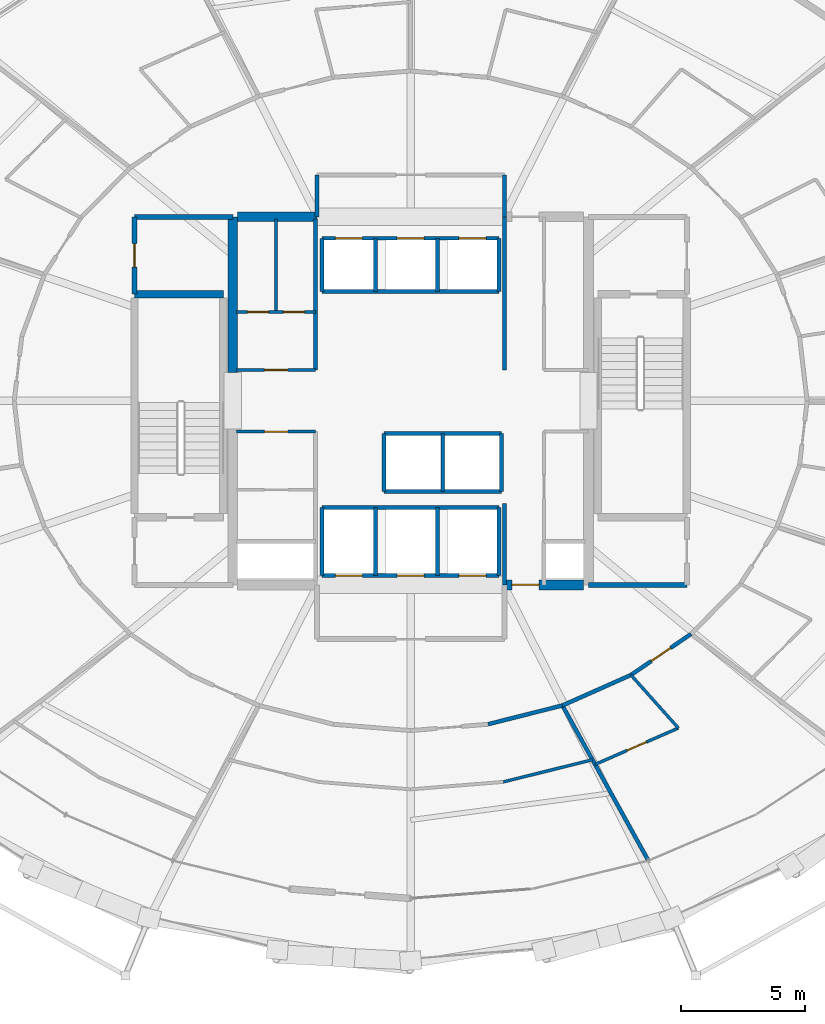
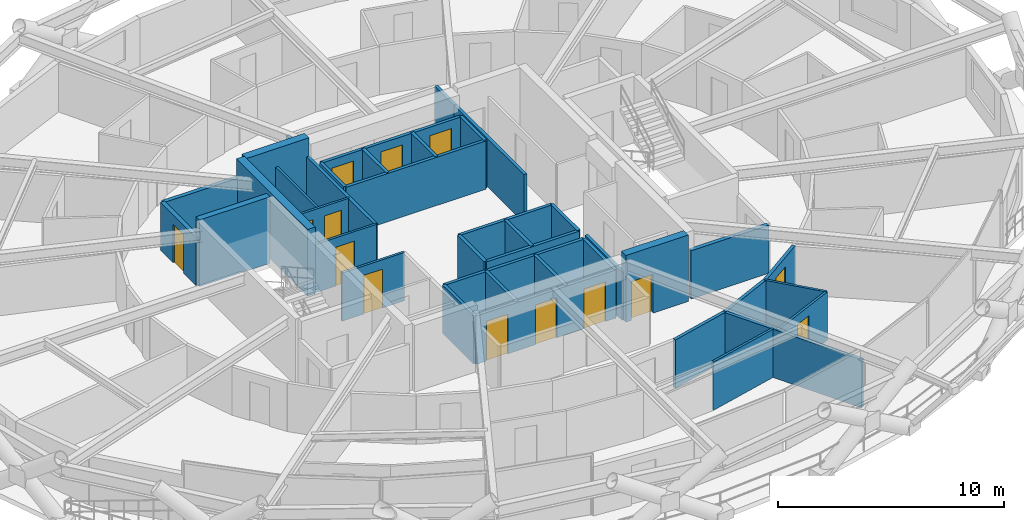
# One storey, part 14 of 19: 40 walls, 14 doors, 14 openings.
"""IFC4 building model written with IfcOpenShell, lengths in metres."""

from ifc_helpers import new_model, si_unit, direction, frame, frame_2d, origin, place, context, subcontext, project, spatial, rectangle, extrude, material, layer, layer_set, type_object, element, fill, save


model = new_model("IFC4")

# Units and contexts
model_context = context("Model", 3, precision=1e-05, world=origin(), true_north=direction((0.0, 1.0)))
body_context = subcontext(model_context, "Body", "Model", "MODEL_VIEW")
ifc_project = project(units=[si_unit("LENGTHUNIT", "METRE"), si_unit("AREAUNIT", "SQUARE_METRE"), si_unit("VOLUMEUNIT", "CUBIC_METRE"), si_unit("PLANEANGLEUNIT", "RADIAN"), si_unit("MASSUNIT", "GRAM", prefix="KILO")], contexts=[model_context])

# Site, building, storey
site_placement = place(None, origin())
site = spatial("IfcSite", under=ifc_project, at=site_placement, CompositionType="ELEMENT")
building_placement = place(site_placement, origin())
building = spatial("IfcBuilding", under=site, at=building_placement, Name="Veldorina Hangang Commons", CompositionType="ELEMENT")
storey_placement = place(building_placement, frame((0.0, 0.0, 34.0)))
storey = spatial("IfcBuildingStorey", under=building, at=storey_placement, Name="L07", CompositionType="ELEMENT", Elevation=34.0)

# Wall
ifc_material_1 = material(Name="Concrete C70/85", Category="concrete")
ifc_layer_1 = layer(ifc_material_1, 0.39990234375)
ifc_layer_set_1 = layer_set([ifc_layer_1], Name="Concrete C70/85")
wall_type_1 = type_object("IfcWallType", Name="CW-RC400-C70", PredefinedType="SHEAR", material=ifc_layer_set_1)
wall_1_placement = place(storey_placement, frame((24.800048828125, 25.14990234375, 0.0), z_axis=(0.0, 0.0, 1.0), x_axis=(0.0, 1.0, 0.0)))
element("IfcWall", 1, at=wall_1_placement, inside=storey, type_object=wall_type_1, Name="L07 W north core shear wall", PredefinedType="SHEAR", context=body_context, shape_type="SweptSolid", body=[
    extrude(rectangle(XDim=6.300048828125, YDim=0.39990234375, at=frame_2d((3.14990234375, 0.0))), origin(), (0.0, 0.0, 1.0), 3.60009765625),
])

# Wall, opening, door
wall_2_placement = place(storey_placement, frame((35.800048828125, 16.550048828125, 0.0), z_axis=(0.0, 0.0, 1.0), x_axis=(1.0, 0.0, 0.0)))
wall_2 = element("IfcWall", 2, at=wall_2_placement, inside=storey, type_object=wall_type_1, Name="L07 south-east core shear wall", PredefinedType="SHEAR", context=body_context, shape_type="SweptSolid", body=[
    extrude(rectangle(XDim=3.199951171875, YDim=0.39990234375, at=frame_2d((1.60009765625, 0.0))), origin(), (0.0, 0.0, 1.0), 3.60009765625),
])
opening_1_placement = place(wall_2_placement, frame((0.300048828125, 0.0, 0.0)))
opening_1 = element("IfcOpeningElement", 3, at=opening_1_placement, cuts=wall_2, Name="Opening D-08", PredefinedType="OPENING", context=body_context, shape_type="SweptSolid", body=[
    extrude(rectangle(XDim=1.10009765625, YDim=2.10009765625, at=frame_2d((0.550048828125, 1.050048828125))), frame((0.0, 0.2099609375, 0.0), z_axis=(0.0, -1.0, 0.0), x_axis=(1.0, 0.0, 0.0)), (0.0, 0.0, 1.0), 0.419921875),
])
ifc_material_2 = material(Name="Steel Fire-Rated Smoke Seal", Category="steel")
door_type_1 = type_object("IfcDoorType", Name="DR-FIRE-1100", OperationType="SINGLE_SWING_RIGHT", PredefinedType="DOOR", material=ifc_material_2)
door_1_placement = place(opening_1_placement, origin())
door_1 = element("IfcDoor", 4, at=door_1_placement, inside=storey, type_object=door_type_1, Name="L07 central lift lobby south corridor door", OperationType="SINGLE_SWING_RIGHT", OverallHeight=2.10009765625, OverallWidth=1.10009765625, PredefinedType="DOOR", context=body_context, shape_type="SweptSolid", body=[
    extrude(rectangle(XDim=1.10009765625, YDim=2.10009765625, at=frame_2d((0.550048828125, 1.050048828125))), frame((0.0, 0.02490234375, 0.0), z_axis=(0.0, -1.0, 0.0), x_axis=(1.0, 0.0, 0.0)), (0.0, 0.0, 1.0), 0.050048828125),
])
fill(opening_1, door_1)

# Walls
wall_3_placement = place(storey_placement, frame((25.0, 31.449951171875, 0.0), z_axis=(0.0, 0.0, 1.0), x_axis=(1.0, 0.0, 0.0)))
element("IfcWall", 5, at=wall_3_placement, inside=storey, type_object=wall_type_1, Name="L07 north-west core shear wall", PredefinedType="SHEAR", context=body_context, shape_type="SweptSolid", body=[
    extrude(rectangle(XDim=3.199951171875, YDim=0.39990234375, at=frame_2d((1.60009765625, 0.0))), origin(), (0.0, 0.0, 1.0), 3.60009765625),
])
ifc_material_3 = material(Name="Concrete C50/60", Category="concrete")
ifc_layer_2 = layer(ifc_material_3, 0.300048828125)
ifc_layer_set_2 = layer_set([ifc_layer_2], Name="Concrete C50/60")
wall_type_2 = type_object("IfcWallType", Name="SW-STAIR-300", PredefinedType="SHEAR", material=ifc_layer_set_2)
wall_4_placement = place(storey_placement, frame((20.820068359375, 28.320068359375, 0.0), z_axis=(0.0, 0.0, 1.0), x_axis=(1.0, 0.0, 0.0)))
element("IfcWall", 6, at=wall_4_placement, inside=storey, type_object=wall_type_2, Name="L07 ST1 north stair shear wall", PredefinedType="SHEAR", context=body_context, shape_type="SweptSolid", body=[
    extrude(rectangle(XDim=3.599853515625, YDim=0.300048828125, at=frame_2d((1.7998046875, 0.0))), origin(), (0.0, 0.0, 1.0), 3.60009765625),
])
ifc_material_4 = material(Name="Gypsum Fire-Rated Twin Stud Wall", Category="gypsum")
ifc_layer_3 = layer(ifc_material_4, 0.159912109375)
ifc_layer_set_3 = layer_set([ifc_layer_3], Name="Gypsum Fire-Rated Twin Stud Wall")
wall_type_3 = type_object("IfcWallType", Name="WL-FIRE-160", PredefinedType="SOLIDWALL", material=ifc_layer_set_3)
wall_5_placement = place(storey_placement, frame((35.800048828125, 16.550048828125, 0.0), z_axis=(0.0, 0.0, 1.0), x_axis=(0.0, 1.0, 0.0)))
element("IfcWall", 7, at=wall_5_placement, inside=storey, type_object=wall_type_3, Name="L07 Lift passage SW wall 009", PredefinedType="SOLIDWALL", context=body_context, shape_type="SweptSolid", body=[
    extrude(rectangle(XDim=3.300048828125, YDim=0.159912109375, at=frame_2d((1.64990234375, 0.0))), origin(), (0.0, 0.0, 1.0), 2.610107421875),
])
wall_6_placement = place(storey_placement, frame((35.800048828125, 25.25, 0.0), z_axis=(0.0, 0.0, 1.0), x_axis=(0.0, 1.0, 0.0)))
element("IfcWall", 8, at=wall_6_placement, inside=storey, type_object=wall_type_3, Name="L07 Lift passage NW wall 011", PredefinedType="SOLIDWALL", context=body_context, shape_type="SweptSolid", body=[
    extrude(rectangle(XDim=6.199951171875, YDim=0.159912109375, at=frame_2d((3.10009765625, 0.0))), origin(), (0.0, 0.0, 1.0), 2.610107421875),
])

# Wall, openings, doors
wall_7_placement = place(storey_placement, frame((28.419921875, 30.580078125, 0.0), z_axis=(0.0, 0.0, 1.0), x_axis=(1.0, 0.0, 0.0)))
wall_7 = element("IfcWall", 9, at=wall_7_placement, inside=storey, type_object=wall_type_3, Name="L07 Low-bank front shaft wall 015", PredefinedType="SOLIDWALL", context=body_context, shape_type="SweptSolid", body=[
    extrude(rectangle(XDim=7.16015625, YDim=0.159912109375, at=frame_2d((3.580078125, 0.0))), origin(), (0.0, 0.0, 1.0), 2.610107421875),
])
opening_2_placement = place(wall_7_placement, frame((0.530029296875, 0.0, 0.0)))
opening_2 = element("IfcOpeningElement", 10, at=opening_2_placement, cuts=wall_7, Name="Opening LD-01", PredefinedType="OPENING", context=body_context, shape_type="SweptSolid", body=[
    extrude(rectangle(XDim=1.10009765625, YDim=2.14990234375, at=frame_2d((0.550048828125, 1.074951171875))), frame((0.0, 0.08984375, 0.0), z_axis=(0.0, -1.0, 0.0), x_axis=(1.0, 0.0, 0.0)), (0.0, 0.0, 1.0), 0.179931640625),
])
opening_3_placement = place(wall_7_placement, frame((3.030029296875, 0.0, 0.0)))
opening_3 = element("IfcOpeningElement", 11, at=opening_3_placement, cuts=wall_7, Name="Opening LD-01", PredefinedType="OPENING", context=body_context, shape_type="SweptSolid", body=[
    extrude(rectangle(XDim=1.10009765625, YDim=2.14990234375, at=frame_2d((0.550048828125, 1.074951171875))), frame((0.0, 0.08984375, 0.0), z_axis=(0.0, -1.0, 0.0), x_axis=(1.0, 0.0, 0.0)), (0.0, 0.0, 1.0), 0.179931640625),
])
opening_4_placement = place(wall_7_placement, frame((5.530029296875, 0.0, 0.0)))
opening_4 = element("IfcOpeningElement", 12, at=opening_4_placement, cuts=wall_7, Name="Opening LD-01", PredefinedType="OPENING", context=body_context, shape_type="SweptSolid", body=[
    extrude(rectangle(XDim=1.10009765625, YDim=2.14990234375, at=frame_2d((0.550048828125, 1.074951171875))), frame((0.0, 0.08984375, 0.0), z_axis=(0.0, -1.0, 0.0), x_axis=(1.0, 0.0, 0.0)), (0.0, 0.0, 1.0), 0.179931640625),
])
ifc_material_5 = material(Name="Stainless Steel Brushed Lift Door", Category="steel")
door_type_2 = type_object("IfcDoorType", Name="DR-LIFT-1100", OperationType="SLIDING_TO_LEFT", PredefinedType="DOOR", material=ifc_material_5)
door_2_placement = place(opening_2_placement, origin())
door_2 = element("IfcDoor", 13, at=door_2_placement, inside=storey, type_object=door_type_2, Name="L07 Lift PL-L1 landing door 006", OperationType="SLIDING_TO_LEFT", OverallHeight=2.14990234375, OverallWidth=1.10009765625, PredefinedType="DOOR", context=body_context, shape_type="SweptSolid", body=[
    extrude(rectangle(XDim=1.10009765625, YDim=2.14990234375, at=frame_2d((0.550048828125, 1.074951171875))), frame((0.0, 0.02490234375, 0.0), z_axis=(0.0, -1.0, 0.0), x_axis=(1.0, 0.0, 0.0)), (0.0, 0.0, 1.0), 0.050048828125),
])
fill(opening_2, door_2)
door_3_placement = place(opening_3_placement, origin())
door_3 = element("IfcDoor", 14, at=door_3_placement, inside=storey, type_object=door_type_2, Name="L07 Lift PL-L2 landing door 007", OperationType="SLIDING_TO_LEFT", OverallHeight=2.14990234375, OverallWidth=1.10009765625, PredefinedType="DOOR", context=body_context, shape_type="SweptSolid", body=[
    extrude(rectangle(XDim=1.10009765625, YDim=2.14990234375, at=frame_2d((0.550048828125, 1.074951171875))), frame((0.0, 0.02490234375, 0.0), z_axis=(0.0, -1.0, 0.0), x_axis=(1.0, 0.0, 0.0)), (0.0, 0.0, 1.0), 0.050048828125),
])
fill(opening_3, door_3)
door_4_placement = place(opening_4_placement, origin())
door_4 = element("IfcDoor", 15, at=door_4_placement, inside=storey, type_object=door_type_2, Name="L07 Lift PL-L3 landing door 008", OperationType="SLIDING_TO_LEFT", OverallHeight=2.14990234375, OverallWidth=1.10009765625, PredefinedType="DOOR", context=body_context, shape_type="SweptSolid", body=[
    extrude(rectangle(XDim=1.10009765625, YDim=2.14990234375, at=frame_2d((0.550048828125, 1.074951171875))), frame((0.0, 0.02490234375, 0.0), z_axis=(0.0, -1.0, 0.0), x_axis=(1.0, 0.0, 0.0)), (0.0, 0.0, 1.0), 0.050048828125),
])
fill(opening_4, door_4)

# Walls
wall_8_placement = place(storey_placement, frame((28.419921875, 28.419921875, 0.0), z_axis=(0.0, 0.0, 1.0), x_axis=(1.0, 0.0, 0.0)))
element("IfcWall", 16, at=wall_8_placement, inside=storey, type_object=wall_type_3, Name="L07 Low-bank rear shaft wall 016", PredefinedType="SOLIDWALL", context=body_context, shape_type="SweptSolid", body=[
    extrude(rectangle(XDim=7.16015625, YDim=0.159912109375, at=frame_2d((3.580078125, 0.0))), origin(), (0.0, 0.0, 1.0), 2.610107421875),
])
for number, where, z_axis, x_axis, name in (
    (17, (28.419921875, 28.419921875, 0.0), (0.0, 0.0, 1.0), (0.0, 1.0, 0.0), "L07 PL-L1 west shaft wall 017"),
    (18, (30.580078125, 28.419921875, 0.0), (0.0, 0.0, 1.0), (0.0, 1.0, 0.0), "L07 PL-L1 east shaft wall 018"),
    (19, (33.080078125, 28.419921875, 0.0), (0.0, 0.0, 1.0), (0.0, 1.0, 0.0), "L07 PL-L2 east shaft wall 019"),
    (20, (35.580078125, 28.419921875, 0.0), (0.0, 0.0, 1.0), (0.0, 1.0, 0.0), "L07 PL-L3 east shaft wall 020"),
):
    element("IfcWall", number, at=place(storey_placement, frame(where, z_axis=z_axis, x_axis=x_axis)), inside=storey, type_object=wall_type_3, Name=name, PredefinedType="SOLIDWALL", context=body_context, shape_type="SweptSolid", body=[
        extrude(rectangle(XDim=2.16015625, YDim=0.159912109375, at=frame_2d((1.080078125, 0.0))), origin(), (0.0, 0.0, 1.0), 2.610107421875),
    ])
for number, where, z_axis, x_axis, name in (
    (21, (30.919921875, 22.679931640625, 0.0), (0.0, 0.0, 1.0), (1.0, 0.0, 0.0), "L07 Shuttle-high front shaft wall 021"),
    (22, (30.919921875, 20.320068359375, 0.0), (0.0, 0.0, 1.0), (1.0, 0.0, 0.0), "L07 Shuttle-high rear shaft wall 022"),
):
    element("IfcWall", number, at=place(storey_placement, frame(where, z_axis=z_axis, x_axis=x_axis)), inside=storey, type_object=wall_type_3, Name=name, PredefinedType="SOLIDWALL", context=body_context, shape_type="SweptSolid", body=[
        extrude(rectangle(XDim=4.760009765625, YDim=0.159912109375, at=frame_2d((2.3798828125, 0.0))), origin(), (0.0, 0.0, 1.0), 2.610107421875),
    ])
for number, where, z_axis, x_axis, name in (
    (23, (30.919921875, 20.320068359375, 0.0), (0.0, 0.0, 1.0), (0.0, 1.0, 0.0), "L07 SL-1 west shaft wall 023"),
    (24, (33.300048828125, 20.320068359375, 0.0), (0.0, 0.0, 1.0), (0.0, 1.0, 0.0), "L07 SL-1 east shaft wall 024"),
    (25, (35.679931640625, 20.320068359375, 0.0), (0.0, 0.0, 1.0), (0.0, 1.0, 0.0), "L07 SL-2 east shaft wall 025"),
):
    element("IfcWall", number, at=place(storey_placement, frame(where, z_axis=z_axis, x_axis=x_axis)), inside=storey, type_object=wall_type_3, Name=name, PredefinedType="SOLIDWALL", context=body_context, shape_type="SweptSolid", body=[
        extrude(rectangle(XDim=2.35986328125, YDim=0.159912109375, at=frame_2d((1.179931640625, 0.0))), origin(), (0.0, 0.0, 1.0), 2.610107421875),
    ])

# Wall, openings, doors
wall_9_placement = place(storey_placement, frame((28.419921875, 16.919921875, 0.0), z_axis=(0.0, 0.0, 1.0), x_axis=(1.0, 0.0, 0.0)))
wall_9 = element("IfcWall", 26, at=wall_9_placement, inside=storey, type_object=wall_type_3, Name="L07 Emergency front shaft wall 026", PredefinedType="SOLIDWALL", context=body_context, shape_type="SweptSolid", body=[
    extrude(rectangle(XDim=7.16015625, YDim=0.159912109375, at=frame_2d((3.580078125, 0.0))), origin(), (0.0, 0.0, 1.0), 2.610107421875),
])
opening_5_placement = place(wall_9_placement, frame((0.530029296875, 0.0, 0.0)))
opening_5 = element("IfcOpeningElement", 27, at=opening_5_placement, cuts=wall_9, Name="Opening LD-03", PredefinedType="OPENING", context=body_context, shape_type="SweptSolid", body=[
    extrude(rectangle(XDim=1.10009765625, YDim=2.14990234375, at=frame_2d((0.550048828125, 1.074951171875))), frame((0.0, 0.08984375, 0.0), z_axis=(0.0, -1.0, 0.0), x_axis=(1.0, 0.0, 0.0)), (0.0, 0.0, 1.0), 0.179931640625),
])
opening_6_placement = place(wall_9_placement, frame((3.030029296875, 0.0, 0.0)))
opening_6 = element("IfcOpeningElement", 28, at=opening_6_placement, cuts=wall_9, Name="Opening LD-03", PredefinedType="OPENING", context=body_context, shape_type="SweptSolid", body=[
    extrude(rectangle(XDim=1.10009765625, YDim=2.14990234375, at=frame_2d((0.550048828125, 1.074951171875))), frame((0.0, 0.08984375, 0.0), z_axis=(0.0, -1.0, 0.0), x_axis=(1.0, 0.0, 0.0)), (0.0, 0.0, 1.0), 0.179931640625),
])
opening_7_placement = place(wall_9_placement, frame((5.530029296875, 0.0, 0.0)))
opening_7 = element("IfcOpeningElement", 29, at=opening_7_placement, cuts=wall_9, Name="Opening LD-03", PredefinedType="OPENING", context=body_context, shape_type="SweptSolid", body=[
    extrude(rectangle(XDim=1.10009765625, YDim=2.14990234375, at=frame_2d((0.550048828125, 1.074951171875))), frame((0.0, 0.08984375, 0.0), z_axis=(0.0, -1.0, 0.0), x_axis=(1.0, 0.0, 0.0)), (0.0, 0.0, 1.0), 0.179931640625),
])
ifc_material_6 = material(Name="Stainless Steel Firefighting Lift Door", Category="steel")
door_type_3 = type_object("IfcDoorType", Name="DR-LIFT-FF1100", OperationType="SLIDING_TO_RIGHT", PredefinedType="DOOR", material=ifc_material_6)
door_5_placement = place(opening_5_placement, origin())
door_5 = element("IfcDoor", 30, at=door_5_placement, inside=storey, type_object=door_type_3, Name="L07 Emergency lift FFL-1 landing door 009", OperationType="SLIDING_TO_RIGHT", OverallHeight=2.14990234375, OverallWidth=1.10009765625, PredefinedType="DOOR", context=body_context, shape_type="SweptSolid", body=[
    extrude(rectangle(XDim=1.10009765625, YDim=2.14990234375, at=frame_2d((0.550048828125, 1.074951171875))), frame((0.0, 0.02490234375, 0.0), z_axis=(0.0, -1.0, 0.0), x_axis=(1.0, 0.0, 0.0)), (0.0, 0.0, 1.0), 0.050048828125),
])
fill(opening_5, door_5)
door_6_placement = place(opening_6_placement, origin())
door_6 = element("IfcDoor", 31, at=door_6_placement, inside=storey, type_object=door_type_3, Name="L07 Emergency lift FFL-2 landing door 010", OperationType="SLIDING_TO_RIGHT", OverallHeight=2.14990234375, OverallWidth=1.10009765625, PredefinedType="DOOR", context=body_context, shape_type="SweptSolid", body=[
    extrude(rectangle(XDim=1.10009765625, YDim=2.14990234375, at=frame_2d((0.550048828125, 1.074951171875))), frame((0.0, 0.02490234375, 0.0), z_axis=(0.0, -1.0, 0.0), x_axis=(1.0, 0.0, 0.0)), (0.0, 0.0, 1.0), 0.050048828125),
])
fill(opening_6, door_6)
door_7_placement = place(opening_7_placement, origin())
door_7 = element("IfcDoor", 32, at=door_7_placement, inside=storey, type_object=door_type_3, Name="L07 Emergency lift EVL-1 landing door 011", OperationType="SLIDING_TO_RIGHT", OverallHeight=2.14990234375, OverallWidth=1.10009765625, PredefinedType="DOOR", context=body_context, shape_type="SweptSolid", body=[
    extrude(rectangle(XDim=1.10009765625, YDim=2.14990234375, at=frame_2d((0.550048828125, 1.074951171875))), frame((0.0, 0.02490234375, 0.0), z_axis=(0.0, -1.0, 0.0), x_axis=(1.0, 0.0, 0.0)), (0.0, 0.0, 1.0), 0.050048828125),
])
fill(opening_7, door_7)

# Walls
wall_10_placement = place(storey_placement, frame((28.419921875, 19.679931640625, 0.0), z_axis=(0.0, 0.0, 1.0), x_axis=(1.0, 0.0, 0.0)))
element("IfcWall", 33, at=wall_10_placement, inside=storey, type_object=wall_type_3, Name="L07 Emergency rear shaft wall 027", PredefinedType="SOLIDWALL", context=body_context, shape_type="SweptSolid", body=[
    extrude(rectangle(XDim=7.16015625, YDim=0.159912109375, at=frame_2d((3.580078125, 0.0))), origin(), (0.0, 0.0, 1.0), 2.610107421875),
])
for number, where, z_axis, x_axis, name in (
    (34, (28.419921875, 16.919921875, 0.0), (0.0, 0.0, 1.0), (0.0, 1.0, 0.0), "L07 FFL-1 west shaft wall 028"),
    (35, (30.580078125, 16.919921875, 0.0), (0.0, 0.0, 1.0), (0.0, 1.0, 0.0), "L07 FFL-1 east shaft wall 029"),
    (36, (33.080078125, 16.919921875, 0.0), (0.0, 0.0, 1.0), (0.0, 1.0, 0.0), "L07 FFL-2 east shaft wall 030"),
    (37, (35.580078125, 16.919921875, 0.0), (0.0, 0.0, 1.0), (0.0, 1.0, 0.0), "L07 EVL-1 east shaft wall 031"),
):
    element("IfcWall", number, at=place(storey_placement, frame(where, z_axis=z_axis, x_axis=x_axis)), inside=storey, type_object=wall_type_3, Name=name, PredefinedType="SOLIDWALL", context=body_context, shape_type="SweptSolid", body=[
        extrude(rectangle(XDim=2.760009765625, YDim=0.159912109375, at=frame_2d((1.3798828125, 0.0))), origin(), (0.0, 0.0, 1.0), 2.610107421875),
    ])
for number, where, z_axis, x_axis, name in (
    (38, (28.199951171875, 31.449951171875, 0.0), (0.0, 0.0, 1.0), (0.0, 1.0, 0.0), "L07 North lobby west wall 032"),
    (39, (35.800048828125, 31.449951171875, 0.0), (0.0, 0.0, 1.0), (0.0, 1.0, 0.0), "L07 North lobby east wall 033"),
):
    element("IfcWall", number, at=place(storey_placement, frame(where, z_axis=z_axis, x_axis=x_axis)), inside=storey, type_object=wall_type_3, Name=name, PredefinedType="SOLIDWALL", context=body_context, shape_type="SweptSolid", body=[
        extrude(rectangle(XDim=1.699951171875, YDim=0.159912109375, at=frame_2d((0.85009765625, 0.0))), origin(), (0.0, 0.0, 1.0), 2.610107421875),
    ])
wall_11_placement = place(storey_placement, frame((28.14990234375, 25.25, 0.0), z_axis=(0.0, 0.0, 1.0), x_axis=(0.0, 1.0, 0.0)))
element("IfcWall", 40, at=wall_11_placement, inside=storey, type_object=wall_type_3, Name="L07 NW core inner wall 038", PredefinedType="SOLIDWALL", context=body_context, shape_type="SweptSolid", body=[
    extrude(rectangle(XDim=6.10009765625, YDim=0.159912109375, at=frame_2d((3.050048828125, 0.0))), origin(), (0.0, 0.0, 1.0), 2.610107421875),
])
wall_12_placement = place(storey_placement, frame((35.131103515625, 10.906494140625, 0.0), z_axis=(0.0, 0.0, 1.0), x_axis=(0.969608333194, 0.244662380029, 0.0)))
element("IfcWall", 41, at=wall_12_placement, inside=storey, type_object=wall_type_3, Name="L07 Corridor outer wall 25 073", PredefinedType="SOLIDWALL", context=body_context, shape_type="SweptSolid", body=[
    extrude(rectangle(XDim=3.10546875, YDim=0.159912109375, at=frame_2d((1.552734375, 0.0))), origin(), (0.0, 0.0, 1.0), 2.610107421875),
])
wall_13_placement = place(storey_placement, frame((38.14208984375, 11.666259765625, 0.0), z_axis=(0.0, 0.0, 1.0), x_axis=(0.913768445178, 0.406235434936, 0.0)))
element("IfcWall", 42, at=wall_13_placement, inside=storey, type_object=wall_type_3, Name="L07 Corridor outer wall 26 074", PredefinedType="SOLIDWALL", context=body_context, shape_type="SweptSolid", body=[
    extrude(rectangle(XDim=3.036865234375, YDim=0.159912109375, at=frame_2d((1.5185546875, 0.0))), origin(), (0.0, 0.0, 1.0), 2.610107421875),
])

# Wall, opening, door
wall_14_placement = place(storey_placement, frame((40.9169921875, 12.89990234375, 0.0), z_axis=(0.0, 0.0, 1.0), x_axis=(0.825929039072, 0.563774088104, 0.0)))
wall_14 = element("IfcWall", 43, at=wall_14_placement, inside=storey, type_object=wall_type_3, Name="L07 Corridor outer wall 27 075", PredefinedType="SOLIDWALL", context=body_context, shape_type="SweptSolid", body=[
    extrude(rectangle(XDim=2.94482421875, YDim=0.159912109375, at=frame_2d((1.472412109375, 0.0))), origin(), (0.0, 0.0, 1.0), 2.610107421875),
])
opening_8_placement = place(wall_14_placement, frame((0.997314453125, 0.0, 0.0)))
opening_8 = element("IfcOpeningElement", 44, at=opening_8_placement, cuts=wall_14, Name="Opening D-03", PredefinedType="OPENING", context=body_context, shape_type="SweptSolid", body=[
    extrude(rectangle(XDim=0.949951171875, YDim=2.10009765625, at=frame_2d((0.47509765625, 1.050048828125))), frame((0.0, 0.08984375, 0.0), z_axis=(0.0, -1.0, 0.0), x_axis=(1.0, 0.0, 0.0)), (0.0, 0.0, 1.0), 0.179931640625),
])
ifc_material_7 = material(Name="Timber Fire-Rated Entrance Core", Category="wood")
door_type_4 = type_object("IfcDoorType", Name="DR-UNIT-950", OperationType="SINGLE_SWING_RIGHT", PredefinedType="DOOR", material=ifc_material_7)
door_8_placement = place(opening_8_placement, origin())
door_8 = element("IfcDoor", 45, at=door_8_placement, inside=storey, type_object=door_type_4, Name="L07 Studio 2 entrance door 023", OperationType="SINGLE_SWING_LEFT", OverallHeight=2.10009765625, OverallWidth=0.949951171875, PredefinedType="DOOR", context=body_context, shape_type="SweptSolid", body=[
    extrude(rectangle(XDim=0.949951171875, YDim=2.10009765625, at=frame_2d((0.47509765625, 1.050048828125))), frame((0.0, 0.02490234375, 0.0), z_axis=(0.0, -1.0, 0.0), x_axis=(1.0, 0.0, 0.0)), (0.0, 0.0, 1.0), 0.050048828125),
])
fill(opening_8, door_8)

# Wall
wall_15_placement = place(storey_placement, frame((38.14208984375, 11.666259765625, 0.0), z_axis=(0.0, 0.0, 1.0), x_axis=(0.484852071717, -0.874596174558, 0.0)))
element("IfcWall", 46, at=wall_15_placement, inside=storey, type_object=wall_type_3, Name="L07 Unit party wall 26 085", PredefinedType="SOLIDWALL", context=body_context, shape_type="SweptSolid", body=[
    extrude(rectangle(XDim=7.131103515625, YDim=0.159912109375, at=frame_2d((3.5654296875, 0.0))), origin(), (0.0, 0.0, 1.0), 2.610107421875),
])

# Wall, opening, door
ifc_material_8 = material(Name="Concrete Blockwork Fire Wall C30/37", Category="masonry")
ifc_layer_4 = layer(ifc_material_8, 0.199951171875)
ifc_layer_set_4 = layer_set([ifc_layer_4], Name="Concrete Blockwork Fire Wall C30/37")
wall_type_4 = type_object("IfcWallType", Name="WL-FIRE-200", PredefinedType="SOLIDWALL", material=ifc_layer_set_4)
wall_16_placement = place(storey_placement, frame((20.820068359375, 28.320068359375, 0.0), z_axis=(0.0, 0.0, 1.0), x_axis=(0.0, 1.0, 0.0)))
wall_16 = element("IfcWall", 47, at=wall_16_placement, inside=storey, type_object=wall_type_4, Name="L07 NW core room outer wall 005", PredefinedType="SOLIDWALL", context=body_context, shape_type="SweptSolid", body=[
    extrude(rectangle(XDim=3.1298828125, YDim=0.199951171875, at=frame_2d((1.56494140625, 0.0))), origin(), (0.0, 0.0, 1.0), 2.610107421875),
])
opening_9_placement = place(wall_16_placement, frame((1.090087890625, 0.0, 0.0)))
opening_9 = element("IfcOpeningElement", 48, at=opening_9_placement, cuts=wall_16, Name="Opening D-04", PredefinedType="OPENING", context=body_context, shape_type="SweptSolid", body=[
    extrude(rectangle(XDim=0.949951171875, YDim=2.10009765625, at=frame_2d((0.47509765625, 1.050048828125))), frame((0.0, 0.10986328125, 0.0), z_axis=(0.0, -1.0, 0.0), x_axis=(1.0, 0.0, 0.0)), (0.0, 0.0, 1.0), 0.219970703125),
])
ifc_material_9 = material(Name="Timber Accessible Flush Leaf", Category="wood")
door_type_5 = type_object("IfcDoorType", Name="DR-ACC-950", OperationType="SINGLE_SWING_LEFT", PredefinedType="DOOR", material=ifc_material_9)
door_9_placement = place(opening_9_placement, origin())
door_9 = element("IfcDoor", 49, at=door_9_placement, inside=storey, type_object=door_type_5, Name="L07 NW core WC door 003", OperationType="SINGLE_SWING_LEFT", OverallHeight=2.10009765625, OverallWidth=0.949951171875, PredefinedType="DOOR", context=body_context, shape_type="SweptSolid", body=[
    extrude(rectangle(XDim=0.949951171875, YDim=2.10009765625, at=frame_2d((0.47509765625, 1.050048828125))), frame((0.0, 0.02490234375, 0.0), z_axis=(0.0, -1.0, 0.0), x_axis=(1.0, 0.0, 0.0)), (0.0, 0.0, 1.0), 0.050048828125),
])
fill(opening_9, door_9)

# Walls
for number, where, z_axis, x_axis, name in (
    (50, (20.820068359375, 31.449951171875, 0.0), (0.0, 0.0, 1.0), (1.0, 0.0, 0.0), "L07 NW core room north wall 006"),
    (51, (39.199951171875, 16.550048828125, 0.0), (0.0, 0.0, 1.0), (1.0, 0.0, 0.0), "L07 SE core room south wall 008"),
):
    element("IfcWall", number, at=place(storey_placement, frame(where, z_axis=z_axis, x_axis=x_axis)), inside=storey, type_object=wall_type_4, Name=name, PredefinedType="SOLIDWALL", context=body_context, shape_type="SweptSolid", body=[
        extrude(rectangle(XDim=3.97998046875, YDim=0.199951171875, at=frame_2d((1.989990234375, 0.0))), origin(), (0.0, 0.0, 1.0), 2.610107421875),
    ])

# Wall, opening, door
ifc_material_10 = material(Name="Gypsum Acoustic Stud Partition", Category="gypsum")
ifc_layer_5 = layer(ifc_material_10, 0.1201171875)
ifc_layer_set_5 = layer_set([ifc_layer_5], Name="Gypsum Acoustic Stud Partition")
wall_type_5 = type_object("IfcWallType", Name="WL-PART-120", PredefinedType="PARTITIONING", material=ifc_layer_set_5)
wall_17_placement = place(storey_placement, frame((24.949951171875, 25.25, 0.0), z_axis=(0.0, 0.0, 1.0), x_axis=(1.0, 0.0, 0.0)))
wall_17 = element("IfcWall", 52, at=wall_17_placement, inside=storey, type_object=wall_type_5, Name="L07 NW service south wall 039", PredefinedType="PARTITIONING", context=body_context, shape_type="SweptSolid", body=[
    extrude(rectangle(XDim=3.199951171875, YDim=0.1201171875, at=frame_2d((1.60009765625, 0.0))), origin(), (0.0, 0.0, 1.0), 2.610107421875),
])
opening_10_placement = place(wall_17_placement, frame((1.125, 0.0, 0.0)))
opening_10 = element("IfcOpeningElement", 53, at=opening_10_placement, cuts=wall_17, Name="Opening D-02", PredefinedType="OPENING", context=body_context, shape_type="SweptSolid", body=[
    extrude(rectangle(XDim=0.949951171875, YDim=2.10009765625, at=frame_2d((0.47509765625, 1.050048828125))), frame((0.0, 0.070068359375, 0.0), z_axis=(0.0, -1.0, 0.0), x_axis=(1.0, 0.0, 0.0)), (0.0, 0.0, 1.0), 0.14013671875),
])
ifc_material_11 = material(Name="Timber Solid Core Acoustic", Category="wood")
door_type_6 = type_object("IfcDoorType", Name="DR-INT-950", OperationType="SINGLE_SWING_LEFT", PredefinedType="DOOR", material=ifc_material_11)
door_10_placement = place(opening_10_placement, origin())
door_10 = element("IfcDoor", 54, at=door_10_placement, inside=storey, type_object=door_type_6, Name="L07 Utility vestibule door 013", OperationType="SINGLE_SWING_LEFT", OverallHeight=2.10009765625, OverallWidth=0.949951171875, PredefinedType="DOOR", context=body_context, shape_type="SweptSolid", body=[
    extrude(rectangle(XDim=0.949951171875, YDim=2.10009765625, at=frame_2d((0.47509765625, 1.050048828125))), frame((0.0, 0.02490234375, 0.0), z_axis=(0.0, -1.0, 0.0), x_axis=(1.0, 0.0, 0.0)), (0.0, 0.0, 1.0), 0.050048828125),
])
fill(opening_10, door_10)

wall_18_placement = place(storey_placement, frame((24.949951171875, 22.75, 0.0), z_axis=(0.0, 0.0, 1.0), x_axis=(1.0, 0.0, 0.0)))
wall_18 = element("IfcWall", 55, at=wall_18_placement, inside=storey, type_object=wall_type_5, Name="L07 SW service north wall 040", PredefinedType="PARTITIONING", context=body_context, shape_type="SweptSolid", body=[
    extrude(rectangle(XDim=3.199951171875, YDim=0.1201171875, at=frame_2d((1.60009765625, 0.0))), origin(), (0.0, 0.0, 1.0), 2.610107421875),
])
opening_11_placement = place(wall_18_placement, frame((1.125, 0.0, 0.0)))
opening_11 = element("IfcOpeningElement", 56, at=opening_11_placement, cuts=wall_18, Name="Opening D-02", PredefinedType="OPENING", context=body_context, shape_type="SweptSolid", body=[
    extrude(rectangle(XDim=0.949951171875, YDim=2.10009765625, at=frame_2d((0.47509765625, 1.050048828125))), frame((0.0, 0.070068359375, 0.0), z_axis=(0.0, -1.0, 0.0), x_axis=(1.0, 0.0, 0.0)), (0.0, 0.0, 1.0), 0.14013671875),
])
door_11_placement = place(opening_11_placement, origin())
door_11 = element("IfcDoor", 57, at=door_11_placement, inside=storey, type_object=door_type_6, Name="L07 Recycling room door 016", OperationType="SINGLE_SWING_RIGHT", OverallHeight=2.10009765625, OverallWidth=0.949951171875, PredefinedType="DOOR", context=body_context, shape_type="SweptSolid", body=[
    extrude(rectangle(XDim=0.949951171875, YDim=2.10009765625, at=frame_2d((0.47509765625, 1.050048828125))), frame((0.0, 0.02490234375, 0.0), z_axis=(0.0, -1.0, 0.0), x_axis=(1.0, 0.0, 0.0)), (0.0, 0.0, 1.0), 0.050048828125),
])
fill(opening_11, door_11)

# Wall, openings, doors
wall_19_placement = place(storey_placement, frame((24.949951171875, 27.60009765625, 0.0), z_axis=(0.0, 0.0, 1.0), x_axis=(1.0, 0.0, 0.0)))
wall_19 = element("IfcWall", 58, at=wall_19_placement, inside=storey, type_object=wall_type_5, Name="L07 NW lower split 045", PredefinedType="PARTITIONING", context=body_context, shape_type="SweptSolid", body=[
    extrude(rectangle(XDim=3.199951171875, YDim=0.1201171875, at=frame_2d((1.60009765625, 0.0))), origin(), (0.0, 0.0, 1.0), 2.610107421875),
])
opening_12_placement = place(wall_19_placement, frame((0.43994140625, 0.0, 0.0)))
opening_12 = element("IfcOpeningElement", 59, at=opening_12_placement, cuts=wall_19, Name="Opening D-01", PredefinedType="OPENING", context=body_context, shape_type="SweptSolid", body=[
    extrude(rectangle(XDim=0.860107421875, YDim=2.10009765625, at=frame_2d((0.43017578125, 1.050048828125))), frame((0.0, 0.070068359375, 0.0), z_axis=(0.0, -1.0, 0.0), x_axis=(1.0, 0.0, 0.0)), (0.0, 0.0, 1.0), 0.14013671875),
])
opening_13_placement = place(wall_19_placement, frame((1.89990234375, 0.0, 0.0)))
opening_13 = element("IfcOpeningElement", 60, at=opening_13_placement, cuts=wall_19, Name="Opening D-01", PredefinedType="OPENING", context=body_context, shape_type="SweptSolid", body=[
    extrude(rectangle(XDim=0.860107421875, YDim=2.10009765625, at=frame_2d((0.43017578125, 1.050048828125))), frame((0.0, 0.070068359375, 0.0), z_axis=(0.0, -1.0, 0.0), x_axis=(1.0, 0.0, 0.0)), (0.0, 0.0, 1.0), 0.14013671875),
])
ifc_material_12 = material(Name="Timber Moisture-Resistant Core", Category="wood")
door_type_7 = type_object("IfcDoorType", Name="DR-WET-860", OperationType="SINGLE_SWING_LEFT", PredefinedType="DOOR", material=ifc_material_12)
door_12_placement = place(opening_12_placement, origin())
door_12 = element("IfcDoor", 61, at=door_12_placement, inside=storey, type_object=door_type_7, Name="L07 Store A door 014", OperationType="SINGLE_SWING_RIGHT", OverallHeight=2.10009765625, OverallWidth=0.860107421875, PredefinedType="DOOR", context=body_context, shape_type="SweptSolid", body=[
    extrude(rectangle(XDim=0.860107421875, YDim=2.10009765625, at=frame_2d((0.43017578125, 1.050048828125))), frame((0.0, 0.02490234375, 0.0), z_axis=(0.0, -1.0, 0.0), x_axis=(1.0, 0.0, 0.0)), (0.0, 0.0, 1.0), 0.050048828125),
])
fill(opening_12, door_12)
door_13_placement = place(opening_13_placement, origin())
door_13 = element("IfcDoor", 62, at=door_13_placement, inside=storey, type_object=door_type_7, Name="L07 Store B door 015", OperationType="SINGLE_SWING_LEFT", OverallHeight=2.10009765625, OverallWidth=0.860107421875, PredefinedType="DOOR", context=body_context, shape_type="SweptSolid", body=[
    extrude(rectangle(XDim=0.860107421875, YDim=2.10009765625, at=frame_2d((0.43017578125, 1.050048828125))), frame((0.0, 0.02490234375, 0.0), z_axis=(0.0, -1.0, 0.0), x_axis=(1.0, 0.0, 0.0)), (0.0, 0.0, 1.0), 0.050048828125),
])
fill(opening_13, door_13)

# Walls
wall_20_placement = place(storey_placement, frame((26.550048828125, 27.60009765625, 0.0), z_axis=(0.0, 0.0, 1.0), x_axis=(0.0, 1.0, 0.0)))
element("IfcWall", 63, at=wall_20_placement, inside=storey, type_object=wall_type_5, Name="L07 NW upper vertical split 046", PredefinedType="PARTITIONING", context=body_context, shape_type="SweptSolid", body=[
    extrude(rectangle(XDim=3.75, YDim=0.1201171875, at=frame_2d((1.875, 0.0))), origin(), (0.0, 0.0, 1.0), 2.610107421875),
])
wall_21_placement = place(storey_placement, frame((35.75244140625, 8.572998046875, 0.0), z_axis=(0.0, 0.0, 1.0), x_axis=(0.970585132911, 0.240758176957, 0.0)))
element("IfcWall", 64, at=wall_21_placement, inside=storey, type_object=wall_type_5, Name="L07 Lounge alcove split 3 084", PredefinedType="PARTITIONING", context=body_context, shape_type="SweptSolid", body=[
    extrude(rectangle(XDim=3.717529296875, YDim=0.1201171875, at=frame_2d((1.85888671875, 0.0))), origin(), (0.0, 0.0, 1.0), 2.610107421875),
])

# Wall, opening, door
wall_22_placement = place(storey_placement, frame((39.465087890625, 9.279541015625, 0.0), z_axis=(0.0, 0.0, 1.0), x_axis=(0.916464636484, 0.400115695862, 0.0)))
wall_22 = element("IfcWall", 65, at=wall_22_placement, inside=storey, type_object=wall_type_5, Name="L07 Studio 2 bath front wall 086", PredefinedType="PARTITIONING", context=body_context, shape_type="SweptSolid", body=[
    extrude(rectangle(XDim=3.679931640625, YDim=0.1201171875, at=frame_2d((1.83984375, 0.0))), origin(), (0.0, 0.0, 1.0), 2.610107421875),
])
opening_14_placement = place(wall_22_placement, frame((1.409912109375, 0.0, 0.0)))
opening_14 = element("IfcOpeningElement", 66, at=opening_14_placement, cuts=wall_22, Name="Opening D-01", PredefinedType="OPENING", context=body_context, shape_type="SweptSolid", body=[
    extrude(rectangle(XDim=0.860107421875, YDim=2.10009765625, at=frame_2d((0.43017578125, 1.050048828125))), frame((0.0, 0.070068359375, 0.0), z_axis=(0.0, -1.0, 0.0), x_axis=(1.0, 0.0, 0.0)), (0.0, 0.0, 1.0), 0.14013671875),
])
door_14_placement = place(opening_14_placement, origin())
door_14 = element("IfcDoor", 67, at=door_14_placement, inside=storey, type_object=door_type_7, Name="L07 Studio 2 bathroom door 022", OperationType="SINGLE_SWING_RIGHT", OverallHeight=2.10009765625, OverallWidth=0.860107421875, PredefinedType="DOOR", context=body_context, shape_type="SweptSolid", body=[
    extrude(rectangle(XDim=0.860107421875, YDim=2.10009765625, at=frame_2d((0.43017578125, 1.050048828125))), frame((0.0, 0.02490234375, 0.0), z_axis=(0.0, -1.0, 0.0), x_axis=(1.0, 0.0, 0.0)), (0.0, 0.0, 1.0), 0.050048828125),
])
fill(opening_14, door_14)

# Wall
wall_23_placement = place(storey_placement, frame((40.9169921875, 12.89990234375, 0.0), z_axis=(0.0, 0.0, 1.0), x_axis=(0.666564494593, -0.745447365378, 0.0)))
element("IfcWall", 68, at=wall_23_placement, inside=storey, type_object=wall_type_5, Name="L07 Studio 2 bath side wall 087", PredefinedType="PARTITIONING", context=body_context, shape_type="SweptSolid", body=[
    extrude(rectangle(XDim=2.88134765625, YDim=0.1201171875, at=frame_2d((1.440673828125, 0.0))), origin(), (0.0, 0.0, 1.0), 2.610107421875),
])

save(model, "model.ifc")
